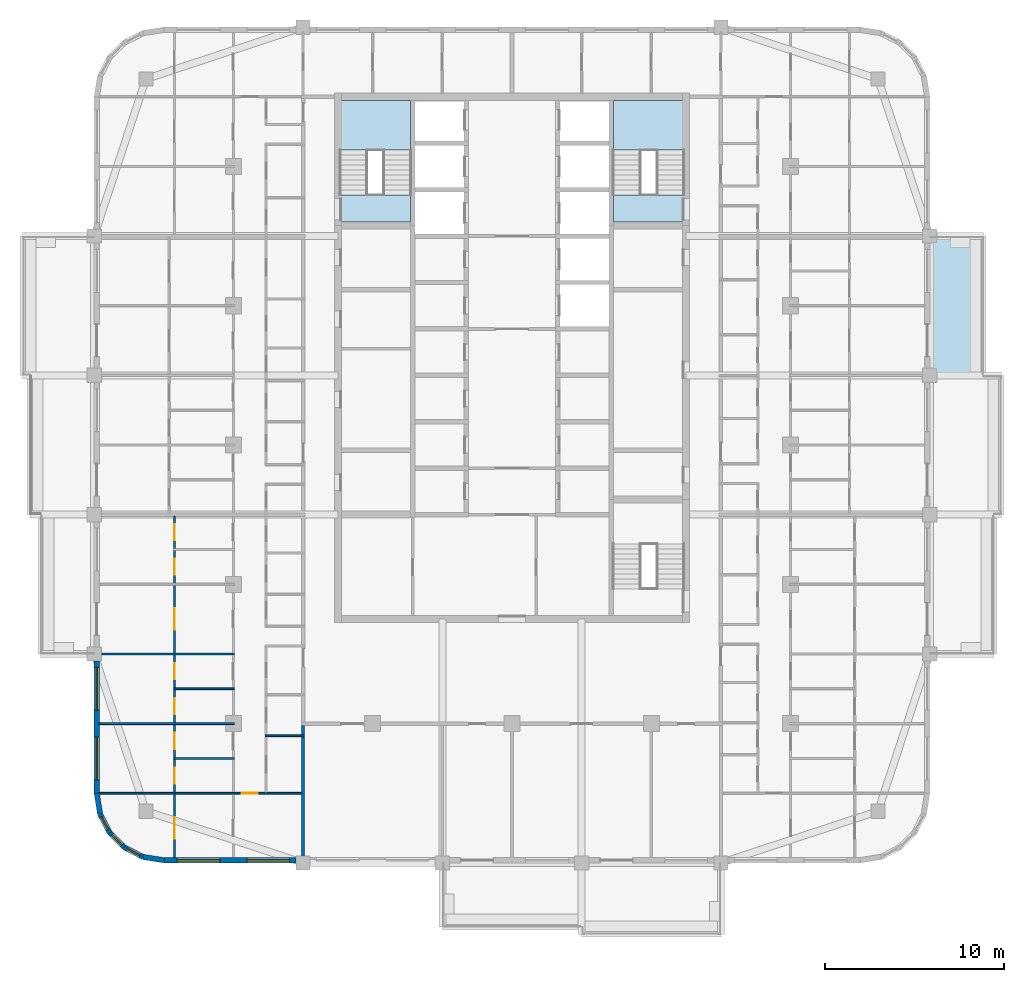
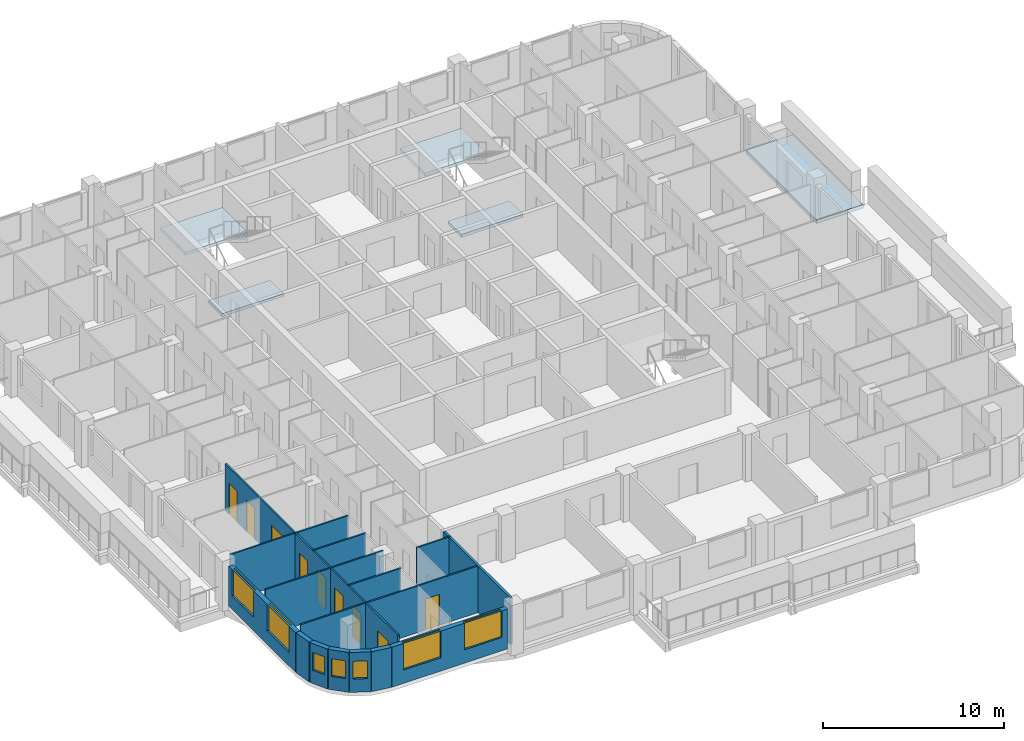
# One storey, part 2 of 16: 15 walls, 9 doors, 7 windows, 5 slabs, 16 openings, 2 elements without a shape of their own.
"""IFC4 building model written with IfcOpenShell, lengths in metres."""

from ifc_helpers import new_model, si_unit, direction, frame, frame_2d, origin, place, context, subcontext, project, spatial, polyline, rectangle, outline, extrude, material, layer, layer_set, type_object, element, fill, aggregate, save


model = new_model("IFC4")

# Units and contexts
model_context = context("Model", 3, precision=1e-05, world=origin(), true_north=direction((0.0, 1.0)))
body_context = subcontext(model_context, "Body", "Model", "MODEL_VIEW")
ifc_project = project(units=[si_unit("LENGTHUNIT", "METRE"), si_unit("AREAUNIT", "SQUARE_METRE"), si_unit("VOLUMEUNIT", "CUBIC_METRE"), si_unit("PLANEANGLEUNIT", "RADIAN"), si_unit("MASSUNIT", "GRAM", prefix="KILO")], contexts=[model_context])

# Site, building, storey
site_placement = place(None, origin())
site = spatial("IfcSite", under=ifc_project, at=site_placement, CompositionType="ELEMENT")
building_placement = place(site_placement, origin())
building = spatial("IfcBuilding", under=site, at=building_placement, Name="Ludao Terraces", CompositionType="ELEMENT")
storey_placement = place(building_placement, frame((0.0, 0.0, 234.699951171875)))
storey = spatial("IfcBuildingStorey", under=building, at=storey_placement, Name="L64", CompositionType="ELEMENT", Elevation=234.699951171875)

# Slab
ifc_material_1 = material(Name="Concrete C40", Category="concrete")
ifc_layer_1 = layer(ifc_material_1, 0.25)
ifc_layer_set_1 = layer_set([ifc_layer_1], Name="Balcony slab 250 C40")
slab_type_1 = type_object("IfcSlabType", Name="Balcony slab 250 C40", PredefinedType="USERDEFINED", material=ifc_layer_set_1)
slab_1_placement = place(storey_placement, frame((0.0, 0.0, -0.25)))
element("IfcSlab", 1, at=slab_1_placement, inside=storey, type_object=slab_type_1, Name="Balcony L64 E3", ObjectType="BALCONY", PredefinedType="USERDEFINED", context=body_context, shape_type="SweptSolid", body=[
    extrude(outline(polyline([(108.39990234375, 68.89990234375), (111.39990234375, 68.89990234375), (111.39990234375, 76.699951171875), (108.39990234375, 76.699951171875), (108.39990234375, 68.89990234375)])), origin(), (0.0, 0.0, 1.0), 0.25),
])

# Stair, slabs
stair_type = type_object("IfcStairType", Name="INT Stair", PredefinedType="HALF_TURN_STAIR", material=ifc_material_1)
stair_1_placement = place(storey_placement, origin())
stair_1 = element("IfcStair", 2, at=stair_1_placement, inside=storey, type_object=stair_type, Name="EXIT STAIR 1", PredefinedType="HALF_TURN_STAIR")
ifc_layer_2 = layer(ifc_material_1, 0.199951171875)
ifc_layer_set_2 = layer_set([ifc_layer_2], Name="INT Stair landing 200")
slab_type_2 = type_object("IfcSlabType", Name="INT Stair landing 200", PredefinedType="LANDING", material=ifc_layer_set_2)
slab_2_placement = place(storey_placement, frame((0.0, 0.0, 1.5)))
slab_2 = element("IfcSlab", 3, at=slab_2_placement, type_object=slab_type_2, Name="ST1 landing 1", PredefinedType="LANDING", context=body_context, shape_type="SweptSolid", body=[
    extrude(outline(polyline([(75.375, 81.52001953125), (79.324951171875, 81.52001953125), (79.324951171875, 84.300048828125), (75.375, 84.300048828125), (75.375, 81.52001953125)])), origin(), (0.0, 0.0, 1.0), 0.199951171875),
])
slab_3_placement = place(storey_placement, frame((0.0, 0.0, -0.199951171875)))
slab_3 = element("IfcSlab", 4, at=slab_3_placement, type_object=slab_type_2, Name="ST1 landing 2", PredefinedType="LANDING", context=body_context, shape_type="SweptSolid", body=[
    extrude(outline(polyline([(75.375, 77.5), (79.324951171875, 77.5), (79.324951171875, 79.0), (75.375, 79.0), (75.375, 77.5)])), origin(), (0.0, 0.0, 1.0), 0.199951171875),
])
aggregate(stair_1, [slab_2, slab_3])

stair_2_placement = place(storey_placement, origin())
stair_2 = element("IfcStair", 5, at=stair_2_placement, inside=storey, type_object=stair_type, Name="EXIT STAIR 2", PredefinedType="HALF_TURN_STAIR")
slab_4_placement = place(storey_placement, frame((0.0, 0.0, 1.5)))
slab_4 = element("IfcSlab", 6, at=slab_4_placement, type_object=slab_type_2, Name="ST2 landing 1", PredefinedType="LANDING", context=body_context, shape_type="SweptSolid", body=[
    extrude(outline(polyline([(90.675048828125, 81.52001953125), (94.625, 81.52001953125), (94.625, 84.300048828125), (90.675048828125, 84.300048828125), (90.675048828125, 81.52001953125)])), origin(), (0.0, 0.0, 1.0), 0.199951171875),
])
slab_5_placement = place(storey_placement, frame((0.0, 0.0, -0.199951171875)))
slab_5 = element("IfcSlab", 7, at=slab_5_placement, type_object=slab_type_2, Name="ST2 landing 2", PredefinedType="LANDING", context=body_context, shape_type="SweptSolid", body=[
    extrude(outline(polyline([(90.675048828125, 77.5), (94.625, 77.5), (94.625, 79.0), (90.675048828125, 79.0), (90.675048828125, 77.5)])), origin(), (0.0, 0.0, 1.0), 0.199951171875),
])
aggregate(stair_2, [slab_4, slab_5])

# Wall, openings, windows
ifc_material_2 = material(Name="Granite cladding", Category="masonry")
ifc_layer_3 = layer(ifc_material_2, 0.0400390625, Category="stone")
ifc_material_3 = material(Name="Mineral wool")
ifc_layer_4 = layer(ifc_material_3, 0.06005859375)
ifc_layer_5 = layer(ifc_material_1, 0.199951171875, Category="concrete")
ifc_layer_set_3 = layer_set([ifc_layer_3, ifc_layer_4, ifc_layer_5], Name="ENV Stone-clad wall 300")
wall_type_1 = type_object("IfcWallType", Name="ENV Stone-clad wall 300", PredefinedType="SOLIDWALL", material=ifc_layer_set_3)
wall_1_placement = place(storey_placement, frame((65.5, 41.75, 0.0), z_axis=(0.0, 0.0, 1.0), x_axis=(1.0, 0.0, 0.0)))
wall_1 = element("IfcWall", 8, at=wall_1_placement, inside=storey, type_object=wall_type_1, Name="EW-L64-S1", PredefinedType="SOLIDWALL", context=body_context, shape_type="SweptSolid", body=[
    extrude(rectangle(XDim=7.39990234375, YDim=0.300048828125, at=frame_2d((3.699951171875, 0.0))), origin(), (0.0, 0.0, 1.0), 2.699951171875),
])
opening_1_placement = place(wall_1_placement, frame((0.75, 0.0, 0.89990234375)))
opening_1 = element("IfcOpeningElement", 9, at=opening_1_placement, cuts=wall_1, Name="Opening W1", PredefinedType="OPENING", context=body_context, shape_type="SweptSolid", body=[
    extrude(rectangle(XDim=2.39990234375, YDim=1.800048828125, at=frame_2d((1.199951171875, 0.89990234375))), frame((0.0, 0.16015625, 0.0), z_axis=(0.0, -1.0, 0.0), x_axis=(1.0, 0.0, 0.0)), (0.0, 0.0, 1.0), 0.320068359375),
])
opening_2_placement = place(wall_1_placement, frame((4.64990234375, 0.0, 0.89990234375)))
opening_2 = element("IfcOpeningElement", 10, at=opening_2_placement, cuts=wall_1, Name="Opening W1", PredefinedType="OPENING", context=body_context, shape_type="SweptSolid", body=[
    extrude(rectangle(XDim=2.39990234375, YDim=1.800048828125, at=frame_2d((1.199951171875, 0.89990234375))), frame((0.0, 0.16015625, 0.0), z_axis=(0.0, -1.0, 0.0), x_axis=(1.0, 0.0, 0.0)), (0.0, 0.0, 1.0), 0.320068359375),
])
ifc_material_4 = material(Name="Clear glass in aluminium frame", Category="aluminium")
ifc_layer_6 = layer(ifc_material_4, 0.06005859375)
ifc_layer_set_4 = layer_set([ifc_layer_6], Name="ENV Window W1 2400x1800")
window_type_1 = type_object("IfcWindowType", Name="ENV Window W1 2400x1800", PartitioningType="DOUBLE_PANEL_VERTICAL", PredefinedType="WINDOW", material=ifc_layer_set_4)
window_1_placement = place(opening_1_placement, origin())
window_1 = element("IfcWindow", 11, at=window_1_placement, inside=storey, type_object=window_type_1, Name="W-L64-S1-1", OverallHeight=1.800048828125, OverallWidth=2.39990234375, PartitioningType="DOUBLE_PANEL_VERTICAL", PredefinedType="WINDOW", context=body_context, shape_type="SweptSolid", body=[
    extrude(rectangle(XDim=2.39990234375, YDim=1.800048828125, at=frame_2d((1.199951171875, 0.89990234375))), frame((0.0, 0.030029296875, 0.0), z_axis=(0.0, -1.0, 0.0), x_axis=(1.0, 0.0, 0.0)), (0.0, 0.0, 1.0), 0.06005859375),
])
fill(opening_1, window_1)
window_2_placement = place(opening_2_placement, origin())
window_2 = element("IfcWindow", 12, at=window_2_placement, inside=storey, type_object=window_type_1, Name="W-L64-S1-2", OverallHeight=1.800048828125, OverallWidth=2.39990234375, PartitioningType="DOUBLE_PANEL_VERTICAL", PredefinedType="WINDOW", context=body_context, shape_type="SweptSolid", body=[
    extrude(rectangle(XDim=2.39990234375, YDim=1.800048828125, at=frame_2d((1.199951171875, 0.89990234375))), frame((0.0, 0.030029296875, 0.0), z_axis=(0.0, -1.0, 0.0), x_axis=(1.0, 0.0, 0.0)), (0.0, 0.0, 1.0), 0.06005859375),
])
fill(opening_2, window_2)

wall_2_placement = place(storey_placement, frame((61.75, 45.5, 0.0), z_axis=(0.0, 0.0, 1.0), x_axis=(0.0, 1.0, 0.0)))
wall_2 = element("IfcWall", 13, at=wall_2_placement, inside=storey, type_object=wall_type_1, Name="EW-L64-W1", PredefinedType="SOLIDWALL", context=body_context, shape_type="SweptSolid", body=[
    extrude(rectangle(XDim=7.39990234375, YDim=0.300048828125, at=frame_2d((3.699951171875, 0.0))), origin(), (0.0, 0.0, 1.0), 2.699951171875),
])
opening_3_placement = place(wall_2_placement, frame((0.75, 0.0, 0.89990234375)))
opening_3 = element("IfcOpeningElement", 14, at=opening_3_placement, cuts=wall_2, Name="Opening W1", PredefinedType="OPENING", context=body_context, shape_type="SweptSolid", body=[
    extrude(rectangle(XDim=2.39990234375, YDim=1.800048828125, at=frame_2d((1.199951171875, 0.89990234375))), frame((0.0, 0.16015625, 0.0), z_axis=(0.0, -1.0, 0.0), x_axis=(1.0, 0.0, 0.0)), (0.0, 0.0, 1.0), 0.320068359375),
])
opening_4_placement = place(wall_2_placement, frame((4.64990234375, 0.0, 0.89990234375)))
opening_4 = element("IfcOpeningElement", 15, at=opening_4_placement, cuts=wall_2, Name="Opening W1", PredefinedType="OPENING", context=body_context, shape_type="SweptSolid", body=[
    extrude(rectangle(XDim=2.39990234375, YDim=1.800048828125, at=frame_2d((1.199951171875, 0.89990234375))), frame((0.0, 0.16015625, 0.0), z_axis=(0.0, -1.0, 0.0), x_axis=(1.0, 0.0, 0.0)), (0.0, 0.0, 1.0), 0.320068359375),
])
window_3_placement = place(opening_3_placement, origin())
window_3 = element("IfcWindow", 16, at=window_3_placement, inside=storey, type_object=window_type_1, Name="W-L64-W1-1", OverallHeight=1.800048828125, OverallWidth=2.39990234375, PartitioningType="DOUBLE_PANEL_VERTICAL", PredefinedType="WINDOW", context=body_context, shape_type="SweptSolid", body=[
    extrude(rectangle(XDim=2.39990234375, YDim=1.800048828125, at=frame_2d((1.199951171875, 0.89990234375))), frame((0.0, 0.030029296875, 0.0), z_axis=(0.0, -1.0, 0.0), x_axis=(1.0, 0.0, 0.0)), (0.0, 0.0, 1.0), 0.06005859375),
])
fill(opening_3, window_3)
window_4_placement = place(opening_4_placement, origin())
window_4 = element("IfcWindow", 17, at=window_4_placement, inside=storey, type_object=window_type_1, Name="W-L64-W1-2", OverallHeight=1.800048828125, OverallWidth=2.39990234375, PartitioningType="DOUBLE_PANEL_VERTICAL", PredefinedType="WINDOW", context=body_context, shape_type="SweptSolid", body=[
    extrude(rectangle(XDim=2.39990234375, YDim=1.800048828125, at=frame_2d((1.199951171875, 0.89990234375))), frame((0.0, 0.030029296875, 0.0), z_axis=(0.0, -1.0, 0.0), x_axis=(1.0, 0.0, 0.0)), (0.0, 0.0, 1.0), 0.06005859375),
])
fill(opening_4, window_4)

# Wall
wall_3_placement = place(storey_placement, frame((61.75, 45.5, 0.0), z_axis=(0.0, 0.0, 1.0), x_axis=(0.156496880861, -0.987678452879, 0.0)))
element("IfcWall", 18, at=wall_3_placement, inside=storey, type_object=wall_type_1, Name="EW-L64-SW1", PredefinedType="SOLIDWALL", context=body_context, shape_type="SweptSolid", body=[
    extrude(rectangle(XDim=1.173095703125, YDim=0.300048828125, at=frame_2d((0.58642578125, 0.0))), origin(), (0.0, 0.0, 1.0), 2.699951171875),
])

# Wall, opening, window
wall_4_placement = place(storey_placement, frame((61.93359375, 44.34130859375, 0.0), z_axis=(0.0, 0.0, 1.0), x_axis=(0.454025524128, -0.890988677504, 0.0)))
wall_4 = element("IfcWall", 19, at=wall_4_placement, inside=storey, type_object=wall_type_1, Name="EW-L64-SW2", PredefinedType="SOLIDWALL", context=body_context, shape_type="SweptSolid", body=[
    extrude(rectangle(XDim=1.17333984375, YDim=0.300048828125, at=frame_2d((0.586669921875, 0.0))), origin(), (0.0, 0.0, 1.0), 2.699951171875),
])
opening_5_placement = place(wall_4_placement, frame((0.1865234375, 0.0, 0.89990234375)))
opening_5 = element("IfcOpeningElement", 20, at=opening_5_placement, cuts=wall_4, Name="Opening W3", PredefinedType="OPENING", context=body_context, shape_type="SweptSolid", body=[
    extrude(rectangle(XDim=0.800048828125, YDim=1.199951171875, at=frame_2d((0.39990234375, 0.60009765625))), frame((0.0, 0.16015625, 0.0), z_axis=(0.0, -1.0, 0.0), x_axis=(1.0, 0.0, 0.0)), (0.0, 0.0, 1.0), 0.320068359375),
])
ifc_layer_7 = layer(ifc_material_4, 0.06005859375)
ifc_layer_set_5 = layer_set([ifc_layer_7], Name="ENV Window W3 800x1200")
window_type_2 = type_object("IfcWindowType", Name="ENV Window W3 800x1200", PartitioningType="SINGLE_PANEL", PredefinedType="WINDOW", material=ifc_layer_set_5)
window_5_placement = place(opening_5_placement, origin())
window_5 = element("IfcWindow", 21, at=window_5_placement, inside=storey, type_object=window_type_2, Name="W-L64-SW2", OverallHeight=1.199951171875, OverallWidth=0.800048828125, PartitioningType="SINGLE_PANEL", PredefinedType="WINDOW", context=body_context, shape_type="SweptSolid", body=[
    extrude(rectangle(XDim=0.800048828125, YDim=1.199951171875, at=frame_2d((0.39990234375, 0.60009765625))), frame((0.0, 0.030029296875, 0.0), z_axis=(0.0, -1.0, 0.0), x_axis=(1.0, 0.0, 0.0)), (0.0, 0.0, 1.0), 0.06005859375),
])
fill(opening_5, window_5)

wall_5_placement = place(storey_placement, frame((62.46630859375, 43.2958984375, 0.0), z_axis=(0.0, 0.0, 1.0), x_axis=(0.707106781187, -0.707106781187, 0.0)))
wall_5 = element("IfcWall", 22, at=wall_5_placement, inside=storey, type_object=wall_type_1, Name="EW-L64-SW3", PredefinedType="SOLIDWALL", context=body_context, shape_type="SweptSolid", body=[
    extrude(rectangle(XDim=1.173095703125, YDim=0.300048828125, at=frame_2d((0.58642578125, 0.0))), origin(), (0.0, 0.0, 1.0), 2.699951171875),
])
opening_6_placement = place(wall_5_placement, frame((0.1865234375, 0.0, 0.89990234375)))
opening_6 = element("IfcOpeningElement", 23, at=opening_6_placement, cuts=wall_5, Name="Opening W3", PredefinedType="OPENING", context=body_context, shape_type="SweptSolid", body=[
    extrude(rectangle(XDim=0.800048828125, YDim=1.199951171875, at=frame_2d((0.39990234375, 0.60009765625))), frame((0.0, 0.16015625, 0.0), z_axis=(0.0, -1.0, 0.0), x_axis=(1.0, 0.0, 0.0)), (0.0, 0.0, 1.0), 0.320068359375),
])
window_6_placement = place(opening_6_placement, origin())
window_6 = element("IfcWindow", 24, at=window_6_placement, inside=storey, type_object=window_type_2, Name="W-L64-SW3", OverallHeight=1.199951171875, OverallWidth=0.800048828125, PartitioningType="SINGLE_PANEL", PredefinedType="WINDOW", context=body_context, shape_type="SweptSolid", body=[
    extrude(rectangle(XDim=0.800048828125, YDim=1.199951171875, at=frame_2d((0.39990234375, 0.60009765625))), frame((0.0, 0.030029296875, 0.0), z_axis=(0.0, -1.0, 0.0), x_axis=(1.0, 0.0, 0.0)), (0.0, 0.0, 1.0), 0.06005859375),
])
fill(opening_6, window_6)

wall_6_placement = place(storey_placement, frame((63.2958984375, 42.46630859375, 0.0), z_axis=(0.0, 0.0, 1.0), x_axis=(0.890988677504, -0.454025524128, 0.0)))
wall_6 = element("IfcWall", 25, at=wall_6_placement, inside=storey, type_object=wall_type_1, Name="EW-L64-SW4", PredefinedType="SOLIDWALL", context=body_context, shape_type="SweptSolid", body=[
    extrude(rectangle(XDim=1.17333984375, YDim=0.300048828125, at=frame_2d((0.586669921875, 0.0))), origin(), (0.0, 0.0, 1.0), 2.699951171875),
])
opening_7_placement = place(wall_6_placement, frame((0.1865234375, 0.0, 0.89990234375)))
opening_7 = element("IfcOpeningElement", 26, at=opening_7_placement, cuts=wall_6, Name="Opening W3", PredefinedType="OPENING", context=body_context, shape_type="SweptSolid", body=[
    extrude(rectangle(XDim=0.800048828125, YDim=1.199951171875, at=frame_2d((0.39990234375, 0.60009765625))), frame((0.0, 0.16015625, 0.0), z_axis=(0.0, -1.0, 0.0), x_axis=(1.0, 0.0, 0.0)), (0.0, 0.0, 1.0), 0.320068359375),
])
window_7_placement = place(opening_7_placement, origin())
window_7 = element("IfcWindow", 27, at=window_7_placement, inside=storey, type_object=window_type_2, Name="W-L64-SW4", OverallHeight=1.199951171875, OverallWidth=0.800048828125, PartitioningType="SINGLE_PANEL", PredefinedType="WINDOW", context=body_context, shape_type="SweptSolid", body=[
    extrude(rectangle(XDim=0.800048828125, YDim=1.199951171875, at=frame_2d((0.39990234375, 0.60009765625))), frame((0.0, 0.030029296875, 0.0), z_axis=(0.0, -1.0, 0.0), x_axis=(1.0, 0.0, 0.0)), (0.0, 0.0, 1.0), 0.06005859375),
])
fill(opening_7, window_7)

# Wall
wall_7_placement = place(storey_placement, frame((64.34130859375, 41.93359375, 0.0), z_axis=(0.0, 0.0, 1.0), x_axis=(0.987678452879, -0.156496880861, 0.0)))
element("IfcWall", 28, at=wall_7_placement, inside=storey, type_object=wall_type_1, Name="EW-L64-SW5", PredefinedType="SOLIDWALL", context=body_context, shape_type="SweptSolid", body=[
    extrude(rectangle(XDim=1.173095703125, YDim=0.300048828125, at=frame_2d((0.58642578125, 0.0))), origin(), (0.0, 0.0, 1.0), 2.699951171875),
])

# Wall, opening, door
ifc_material_5 = material(Name="Gypsum plasterboard", Category="gypsum")
ifc_layer_8 = layer(ifc_material_5, 0.012451171875, Category="gypsum")
ifc_layer_9 = layer(ifc_material_3, 0.06005859375, Name="insulation")
ifc_material_6 = material(Name="Steel Q235", Category="steel")
ifc_layer_10 = layer(ifc_material_6, 0.014892578125, Name="stud")
ifc_layer_11 = layer(ifc_material_5, 0.012451171875, Category="gypsum")
ifc_layer_set_6 = layer_set([ifc_layer_8, ifc_layer_9, ifc_layer_10, ifc_layer_11], Name="INT Partition 100")
wall_type_2 = type_object("IfcWallType", Name="INT Partition 100", PredefinedType="PARTITIONING", material=ifc_layer_set_6)
wall_8_placement = place(storey_placement, frame((61.900146484375, 45.5, 0.0), z_axis=(0.0, 0.0, 1.0), x_axis=(1.0, 0.0, 0.0)))
wall_8 = element("IfcWall", 29, at=wall_8_placement, inside=storey, type_object=wall_type_2, Name="PW-L64-PW000", PredefinedType="PARTITIONING", context=body_context, shape_type="SweptSolid", body=[
    extrude(rectangle(XDim=11.474853515625, YDim=0.10009765625, at=frame_2d((5.7373046875, 0.0))), origin(), (0.0, 0.0, 1.0), 3.150146484375),
])
opening_8_placement = place(wall_8_placement, frame((7.965087890625, 0.0, 0.0)))
opening_8 = element("IfcOpeningElement", 30, at=opening_8_placement, cuts=wall_8, Name="Opening R23-005", PredefinedType="OPENING", context=body_context, shape_type="SweptSolid", body=[
    extrude(rectangle(XDim=0.89990234375, YDim=2.10009765625, at=frame_2d((0.449951171875, 1.050048828125))), frame((0.0, 0.06005859375, 0.0), z_axis=(0.0, -1.0, 0.0), x_axis=(1.0, 0.0, 0.0)), (0.0, 0.0, 1.0), 0.1201171875),
])
ifc_material_7 = material(Name="Timber door leaf", Category="wood")
door_type_1 = type_object("IfcDoorType", Name="INT Room door 900", OperationType="SINGLE_SWING_LEFT", PredefinedType="DOOR", material=ifc_material_7)
door_1_placement = place(opening_8_placement, origin())
door_1 = element("IfcDoor", 31, at=door_1_placement, inside=storey, type_object=door_type_1, Name="DOOR 005", OperationType="SINGLE_SWING_LEFT", OverallHeight=2.10009765625, OverallWidth=0.89990234375, PredefinedType="DOOR", context=body_context, shape_type="SweptSolid", body=[
    extrude(rectangle(XDim=0.89990234375, YDim=2.10009765625, at=frame_2d((0.449951171875, 1.050048828125))), frame((0.0, 0.02490234375, 0.0), z_axis=(0.0, -1.0, 0.0), x_axis=(1.0, 0.0, 0.0)), (0.0, 0.0, 1.0), 0.050048828125),
])
fill(opening_8, door_1)

# Walls
wall_9_placement = place(storey_placement, frame((66.050048828125, 47.449951171875, 0.0), z_axis=(0.0, 0.0, 1.0), x_axis=(1.0, 0.0, 0.0)))
element("IfcWall", 32, at=wall_9_placement, inside=storey, type_object=wall_type_2, Name="PW-L64-PW002", PredefinedType="PARTITIONING", context=body_context, shape_type="SweptSolid", body=[
    extrude(rectangle(XDim=3.400146484375, YDim=0.10009765625, at=frame_2d((1.7001953125, 0.0))), origin(), (0.0, 0.0, 1.0), 3.150146484375),
])
wall_10_placement = place(storey_placement, frame((71.18017578125, 48.719970703125, 0.0), z_axis=(0.0, 0.0, 1.0), x_axis=(1.0, 0.0, 0.0)))
element("IfcWall", 33, at=wall_10_placement, inside=storey, type_object=wall_type_2, Name="PW-L64-PW005", PredefinedType="PARTITIONING", context=body_context, shape_type="SweptSolid", body=[
    extrude(rectangle(XDim=2.19482421875, YDim=0.10009765625, at=frame_2d((1.097412109375, 0.0))), origin(), (0.0, 0.0, 1.0), 3.150146484375),
])
wall_11_placement = place(storey_placement, frame((61.900146484375, 49.39990234375, 0.0), z_axis=(0.0, 0.0, 1.0), x_axis=(1.0, 0.0, 0.0)))
element("IfcWall", 34, at=wall_11_placement, inside=storey, type_object=wall_type_2, Name="PW-L64-PW006", PredefinedType="PARTITIONING", context=body_context, shape_type="SweptSolid", body=[
    extrude(rectangle(XDim=7.550048828125, YDim=0.10009765625, at=frame_2d((3.77490234375, 0.0))), origin(), (0.0, 0.0, 1.0), 3.150146484375),
])
wall_12_placement = place(storey_placement, frame((66.050048828125, 51.35009765625, 0.0), z_axis=(0.0, 0.0, 1.0), x_axis=(1.0, 0.0, 0.0)))
element("IfcWall", 35, at=wall_12_placement, inside=storey, type_object=wall_type_2, Name="PW-L64-PW011", PredefinedType="PARTITIONING", context=body_context, shape_type="SweptSolid", body=[
    extrude(rectangle(XDim=3.400146484375, YDim=0.10009765625, at=frame_2d((1.7001953125, 0.0))), origin(), (0.0, 0.0, 1.0), 3.150146484375),
])
wall_13_placement = place(storey_placement, frame((61.900146484375, 53.300048828125, 0.0), z_axis=(0.0, 0.0, 1.0), x_axis=(1.0, 0.0, 0.0)))
element("IfcWall", 36, at=wall_13_placement, inside=storey, type_object=wall_type_2, Name="PW-L64-PW014", PredefinedType="PARTITIONING", context=body_context, shape_type="SweptSolid", body=[
    extrude(rectangle(XDim=7.550048828125, YDim=0.10009765625, at=frame_2d((3.77490234375, 0.0))), origin(), (0.0, 0.0, 1.0), 3.150146484375),
])

# Wall, openings, doors
wall_14_placement = place(storey_placement, frame((66.10009765625, 41.900146484375, 0.0), z_axis=(0.0, 0.0, 1.0), x_axis=(0.0, 1.0, 0.0)))
wall_14 = element("IfcWall", 37, at=wall_14_placement, inside=storey, type_object=wall_type_2, Name="PW-L64-PW072", PredefinedType="PARTITIONING", context=body_context, shape_type="SweptSolid", body=[
    extrude(rectangle(XDim=19.099853515625, YDim=0.10009765625, at=frame_2d((9.5498046875, 0.0))), origin(), (0.0, 0.0, 1.0), 3.150146484375),
])
opening_9_placement = place(wall_14_placement, frame((1.050048828125, 0.0, 0.0)))
opening_9 = element("IfcOpeningElement", 38, at=opening_9_placement, cuts=wall_14, Name="Opening R23-001", PredefinedType="OPENING", context=body_context, shape_type="SweptSolid", body=[
    extrude(rectangle(XDim=1.199951171875, YDim=2.10009765625, at=frame_2d((0.60009765625, 1.050048828125))), frame((0.0, 0.06005859375, 0.0), z_axis=(0.0, -1.0, 0.0), x_axis=(1.0, 0.0, 0.0)), (0.0, 0.0, 1.0), 0.1201171875),
])
opening_10_placement = place(wall_14_placement, frame((4.125, 0.0, 0.0)))
opening_10 = element("IfcOpeningElement", 39, at=opening_10_placement, cuts=wall_14, Name="Opening R23-007", PredefinedType="OPENING", context=body_context, shape_type="SweptSolid", body=[
    extrude(rectangle(XDim=0.89990234375, YDim=2.10009765625, at=frame_2d((0.449951171875, 1.050048828125))), frame((0.0, 0.06005859375, 0.0), z_axis=(0.0, -1.0, 0.0), x_axis=(1.0, 0.0, 0.0)), (0.0, 0.0, 1.0), 0.1201171875),
])
opening_11_placement = place(wall_14_placement, frame((6.074951171875, 0.0, 0.0)))
opening_11 = element("IfcOpeningElement", 40, at=opening_11_placement, cuts=wall_14, Name="Opening R23-013", PredefinedType="OPENING", context=body_context, shape_type="SweptSolid", body=[
    extrude(rectangle(XDim=0.89990234375, YDim=2.10009765625, at=frame_2d((0.449951171875, 1.050048828125))), frame((0.0, 0.06005859375, 0.0), z_axis=(0.0, -1.0, 0.0), x_axis=(1.0, 0.0, 0.0)), (0.0, 0.0, 1.0), 0.1201171875),
])
opening_12_placement = place(wall_14_placement, frame((8.02490234375, 0.0, 0.0)))
opening_12 = element("IfcOpeningElement", 41, at=opening_12_placement, cuts=wall_14, Name="Opening R23-021", PredefinedType="OPENING", context=body_context, shape_type="SweptSolid", body=[
    extrude(rectangle(XDim=0.89990234375, YDim=2.10009765625, at=frame_2d((0.449951171875, 1.050048828125))), frame((0.0, 0.06005859375, 0.0), z_axis=(0.0, -1.0, 0.0), x_axis=(1.0, 0.0, 0.0)), (0.0, 0.0, 1.0), 0.1201171875),
])
opening_13_placement = place(wall_14_placement, frame((9.97509765625, 0.0, 0.0)))
opening_13 = element("IfcOpeningElement", 42, at=opening_13_placement, cuts=wall_14, Name="Opening R23-024", PredefinedType="OPENING", context=body_context, shape_type="SweptSolid", body=[
    extrude(rectangle(XDim=0.89990234375, YDim=2.10009765625, at=frame_2d((0.449951171875, 1.050048828125))), frame((0.0, 0.06005859375, 0.0), z_axis=(0.0, -1.0, 0.0), x_axis=(1.0, 0.0, 0.0)), (0.0, 0.0, 1.0), 0.1201171875),
])
opening_14_placement = place(wall_14_placement, frame((12.75, 0.0, 0.0)))
opening_14 = element("IfcOpeningElement", 43, at=opening_14_placement, cuts=wall_14, Name="Opening R23-032", PredefinedType="OPENING", context=body_context, shape_type="SweptSolid", body=[
    extrude(rectangle(XDim=1.199951171875, YDim=2.10009765625, at=frame_2d((0.60009765625, 1.050048828125))), frame((0.0, 0.06005859375, 0.0), z_axis=(0.0, -1.0, 0.0), x_axis=(1.0, 0.0, 0.0)), (0.0, 0.0, 1.0), 0.1201171875),
])
opening_15_placement = place(wall_14_placement, frame((15.824951171875, 0.0, 0.0)))
opening_15 = element("IfcOpeningElement", 44, at=opening_15_placement, cuts=wall_14, Name="Opening R23-043", PredefinedType="OPENING", context=body_context, shape_type="SweptSolid", body=[
    extrude(rectangle(XDim=0.89990234375, YDim=2.10009765625, at=frame_2d((0.449951171875, 1.050048828125))), frame((0.0, 0.06005859375, 0.0), z_axis=(0.0, -1.0, 0.0), x_axis=(1.0, 0.0, 0.0)), (0.0, 0.0, 1.0), 0.1201171875),
])
opening_16_placement = place(wall_14_placement, frame((17.77490234375, 0.0, 0.0)))
opening_16 = element("IfcOpeningElement", 45, at=opening_16_placement, cuts=wall_14, Name="Opening R23-047", PredefinedType="OPENING", context=body_context, shape_type="SweptSolid", body=[
    extrude(rectangle(XDim=0.89990234375, YDim=2.10009765625, at=frame_2d((0.449951171875, 1.050048828125))), frame((0.0, 0.06005859375, 0.0), z_axis=(0.0, -1.0, 0.0), x_axis=(1.0, 0.0, 0.0)), (0.0, 0.0, 1.0), 0.1201171875),
])
door_type_2 = type_object("IfcDoorType", Name="INT Bathroom door 900", OperationType="SINGLE_SWING_LEFT", PredefinedType="DOOR", material=ifc_material_7)
door_2_placement = place(opening_10_placement, origin())
door_2 = element("IfcDoor", 46, at=door_2_placement, inside=storey, type_object=door_type_2, Name="DOOR 007", OperationType="SINGLE_SWING_LEFT", OverallHeight=2.10009765625, OverallWidth=0.89990234375, PredefinedType="DOOR", context=body_context, shape_type="SweptSolid", body=[
    extrude(rectangle(XDim=0.89990234375, YDim=2.10009765625, at=frame_2d((0.449951171875, 1.050048828125))), frame((0.0, 0.02490234375, 0.0), z_axis=(0.0, -1.0, 0.0), x_axis=(1.0, 0.0, 0.0)), (0.0, 0.0, 1.0), 0.050048828125),
])
fill(opening_10, door_2)
door_3_placement = place(opening_12_placement, origin())
door_3 = element("IfcDoor", 47, at=door_3_placement, inside=storey, type_object=door_type_2, Name="DOOR 021", OperationType="SINGLE_SWING_RIGHT", OverallHeight=2.10009765625, OverallWidth=0.89990234375, PredefinedType="DOOR", context=body_context, shape_type="SweptSolid", body=[
    extrude(rectangle(XDim=0.89990234375, YDim=2.10009765625, at=frame_2d((0.449951171875, 1.050048828125))), frame((0.0, 0.02490234375, 0.0), z_axis=(0.0, -1.0, 0.0), x_axis=(1.0, 0.0, 0.0)), (0.0, 0.0, 1.0), 0.050048828125),
])
fill(opening_12, door_3)
door_4_placement = place(opening_15_placement, origin())
door_4 = element("IfcDoor", 48, at=door_4_placement, inside=storey, type_object=door_type_2, Name="DOOR 043", OperationType="SINGLE_SWING_RIGHT", OverallHeight=2.10009765625, OverallWidth=0.89990234375, PredefinedType="DOOR", context=body_context, shape_type="SweptSolid", body=[
    extrude(rectangle(XDim=0.89990234375, YDim=2.10009765625, at=frame_2d((0.449951171875, 1.050048828125))), frame((0.0, 0.02490234375, 0.0), z_axis=(0.0, -1.0, 0.0), x_axis=(1.0, 0.0, 0.0)), (0.0, 0.0, 1.0), 0.050048828125),
])
fill(opening_15, door_4)
door_type_3 = type_object("IfcDoorType", Name="INT Double door 1200", OperationType="DOUBLE_DOOR_SINGLE_SWING", PredefinedType="DOOR", material=ifc_material_7)
door_5_placement = place(opening_9_placement, origin())
door_5 = element("IfcDoor", 49, at=door_5_placement, inside=storey, type_object=door_type_3, Name="DOOR 001", OperationType="DOUBLE_DOOR_SINGLE_SWING", OverallHeight=2.10009765625, OverallWidth=1.199951171875, PredefinedType="DOOR", context=body_context, shape_type="SweptSolid", body=[
    extrude(rectangle(XDim=1.199951171875, YDim=2.10009765625, at=frame_2d((0.60009765625, 1.050048828125))), frame((0.0, 0.02490234375, 0.0), z_axis=(0.0, -1.0, 0.0), x_axis=(1.0, 0.0, 0.0)), (0.0, 0.0, 1.0), 0.050048828125),
])
fill(opening_9, door_5)
door_6_placement = place(opening_14_placement, origin())
door_6 = element("IfcDoor", 50, at=door_6_placement, inside=storey, type_object=door_type_3, Name="DOOR 032", OperationType="DOUBLE_DOOR_SINGLE_SWING", OverallHeight=2.10009765625, OverallWidth=1.199951171875, PredefinedType="DOOR", context=body_context, shape_type="SweptSolid", body=[
    extrude(rectangle(XDim=1.199951171875, YDim=2.10009765625, at=frame_2d((0.60009765625, 1.050048828125))), frame((0.0, 0.02490234375, 0.0), z_axis=(0.0, -1.0, 0.0), x_axis=(1.0, 0.0, 0.0)), (0.0, 0.0, 1.0), 0.050048828125),
])
fill(opening_14, door_6)
door_7_placement = place(opening_11_placement, origin())
door_7 = element("IfcDoor", 51, at=door_7_placement, inside=storey, type_object=door_type_1, Name="DOOR 013", OperationType="SINGLE_SWING_RIGHT", OverallHeight=2.10009765625, OverallWidth=0.89990234375, PredefinedType="DOOR", context=body_context, shape_type="SweptSolid", body=[
    extrude(rectangle(XDim=0.89990234375, YDim=2.10009765625, at=frame_2d((0.449951171875, 1.050048828125))), frame((0.0, 0.02490234375, 0.0), z_axis=(0.0, -1.0, 0.0), x_axis=(1.0, 0.0, 0.0)), (0.0, 0.0, 1.0), 0.050048828125),
])
fill(opening_11, door_7)
door_8_placement = place(opening_13_placement, origin())
door_8 = element("IfcDoor", 52, at=door_8_placement, inside=storey, type_object=door_type_1, Name="DOOR 024", OperationType="SINGLE_SWING_LEFT", OverallHeight=2.10009765625, OverallWidth=0.89990234375, PredefinedType="DOOR", context=body_context, shape_type="SweptSolid", body=[
    extrude(rectangle(XDim=0.89990234375, YDim=2.10009765625, at=frame_2d((0.449951171875, 1.050048828125))), frame((0.0, 0.02490234375, 0.0), z_axis=(0.0, -1.0, 0.0), x_axis=(1.0, 0.0, 0.0)), (0.0, 0.0, 1.0), 0.050048828125),
])
fill(opening_13, door_8)
door_9_placement = place(opening_16_placement, origin())
door_9 = element("IfcDoor", 53, at=door_9_placement, inside=storey, type_object=door_type_1, Name="DOOR 047", OperationType="SINGLE_SWING_RIGHT", OverallHeight=2.10009765625, OverallWidth=0.89990234375, PredefinedType="DOOR", context=body_context, shape_type="SweptSolid", body=[
    extrude(rectangle(XDim=0.89990234375, YDim=2.10009765625, at=frame_2d((0.449951171875, 1.050048828125))), frame((0.0, 0.02490234375, 0.0), z_axis=(0.0, -1.0, 0.0), x_axis=(1.0, 0.0, 0.0)), (0.0, 0.0, 1.0), 0.050048828125),
])
fill(opening_16, door_9)

# Wall
ifc_material_8 = material(Name="Autoclaved aerated concrete block B06 A3.5", Category="concrete")
ifc_layer_12 = layer(ifc_material_8, 0.14990234375)
ifc_layer_set_7 = layer_set([ifc_layer_12], Name="INT Party wall 150")
wall_type_3 = type_object("IfcWallType", Name="INT Party wall 150", PredefinedType="PARTITIONING", material=ifc_layer_set_7)
wall_15_placement = place(storey_placement, frame((73.300048828125, 41.900146484375, 0.0), z_axis=(0.0, 0.0, 1.0), x_axis=(0.0, 1.0, 0.0)))
element("IfcWall", 54, at=wall_15_placement, inside=storey, type_object=wall_type_3, Name="PW-L64-PW079", PredefinedType="PARTITIONING", context=body_context, shape_type="SweptSolid", body=[
    extrude(rectangle(XDim=7.39990234375, YDim=0.14990234375, at=frame_2d((3.699951171875, 0.0))), origin(), (0.0, 0.0, 1.0), 3.150146484375),
])

save(model, "model.ifc")
